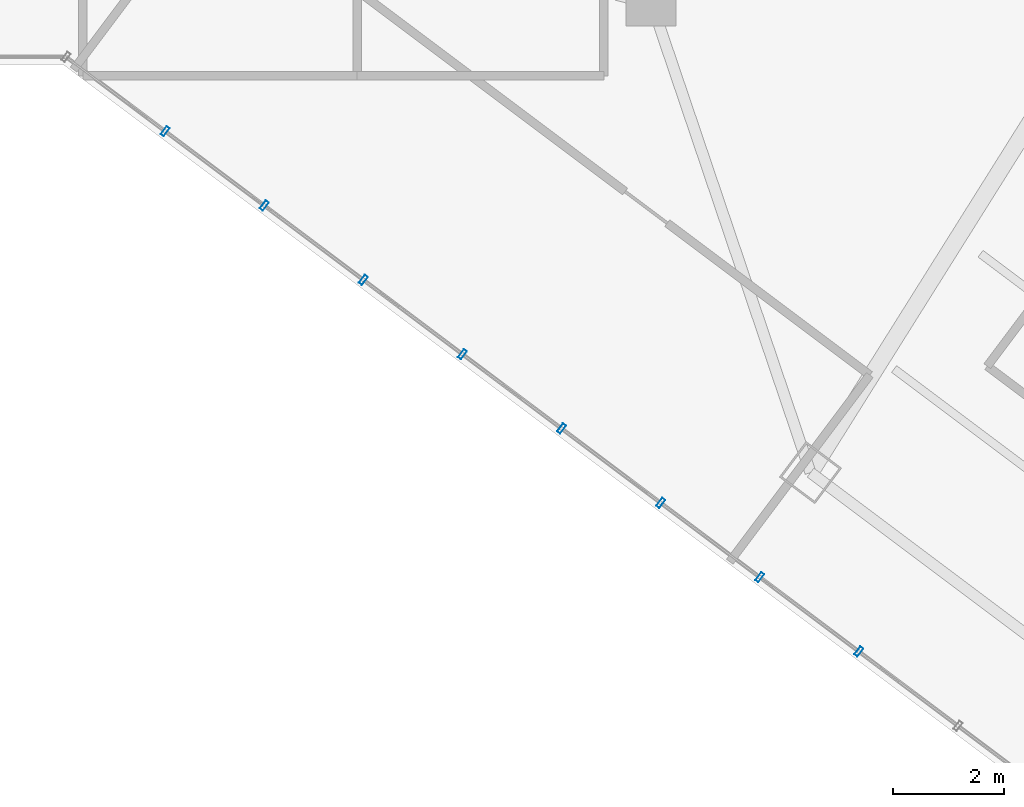
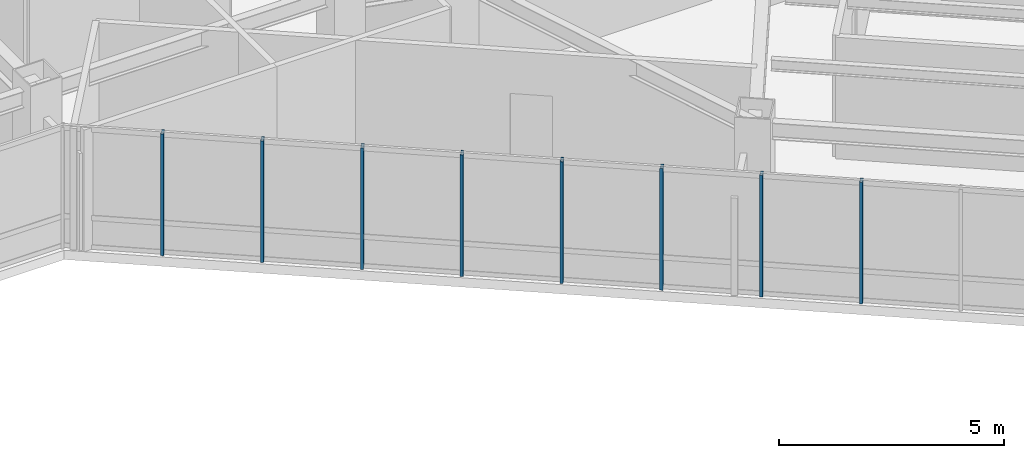
# One storey, part 5 of 29: 8 members, 1 element without a shape of its own.
"""IFC4 building model written with IfcOpenShell, lengths in metres."""

from ifc_helpers import new_model, si_unit, direction, frame, origin, origin_2d, place, context, subcontext, project, spatial, hollow_rectangle, extrude, material, layer, layer_set, material_profile, profile_set, type_object, element, aggregate, save


model = new_model("IFC4")

# Units and contexts
model_context = context("Model", 3, precision=1e-05, world=origin(), true_north=direction((0.0, 1.0)))
body_context = subcontext(model_context, "Body", "Model", "MODEL_VIEW")
ifc_project = project(units=[si_unit("LENGTHUNIT", "METRE"), si_unit("AREAUNIT", "SQUARE_METRE"), si_unit("VOLUMEUNIT", "CUBIC_METRE"), si_unit("PLANEANGLEUNIT", "RADIAN"), si_unit("MASSUNIT", "GRAM", prefix="KILO")], contexts=[model_context])

# Site, building, storey
site_placement = place(None, origin())
site = spatial("IfcSite", under=ifc_project, at=site_placement, CompositionType="ELEMENT")
building_placement = place(site_placement, origin())
building = spatial("IfcBuilding", under=site, at=building_placement, Name="Hatsunagi Terrace Concourse", CompositionType="ELEMENT")
storey_placement = place(building_placement, frame((0.0, 0.0, 178.050048828125)))
storey = spatial("IfcBuildingStorey", under=building, at=storey_placement, Name="L47", CompositionType="ELEMENT", Elevation=178.050048828125)

# Curtain wall, members
ifc_material_1 = material(Name="Anodised Aluminium Alloy 6063-T5", Category="aluminium")
ifc_layer = layer(ifc_material_1, 0.199951171875)
ifc_layer_set = layer_set([ifc_layer], Name="OfficeZone1_CW03")
curtain_wall_type = type_object("IfcCurtainWallType", Name="OfficeZone1_CW03", PredefinedType="NOTDEFINED", material=ifc_layer_set)
curtain_wall_placement = place(storey_placement, origin())
curtain_wall = element("IfcCurtainWall", 1, at=curtain_wall_placement, inside=storey, type_object=curtain_wall_type, Name="Unitised Curtain Wall CW-03 CW-L47-05", PredefinedType="NOTDEFINED")
ifc_material_2 = material(Name="Anodised Aluminium Alloy 6063-T5", Category="aluminium")
ifc_material_profile = material_profile(ifc_material_2, hollow_rectangle(XDim=0.070068359375, YDim=0.179931640625, WallThickness=0.00390625, at=origin_2d()), Name="ALU-MUL-180x70x4")
ifc_profile_set = profile_set([ifc_material_profile], Name="Anodised Aluminium Alloy 6063-T5")
member_type = type_object("IfcMemberType", Name="CurtainWallMullion_180x70", PredefinedType="MULLION", material=ifc_profile_set)
member_1_placement = place(storey_placement, frame((39.552978515625, 12.81103515625, 0.0), z_axis=(0.0, 0.0, 1.0), x_axis=(-0.800005211305, 0.599993051531, 0.0)))
member_1 = element("IfcMember", 2, at=member_1_placement, type_object=member_type, Name="Curtain Wall Mullion MUL-02", PredefinedType="MULLION", context=body_context, shape_type="SweptSolid", body=[
    extrude(hollow_rectangle(XDim=0.070068359375, YDim=0.179931640625, WallThickness=0.00390625, at=origin_2d()), origin(), (0.0, 0.0, 1.0), 3.300048828125),
])
member_2_placement = place(storey_placement, frame((37.764892578125, 14.152099609375, 0.0), z_axis=(0.0, 0.0, 1.0), x_axis=(-0.800005211305, 0.599993051531, 0.0)))
member_2 = element("IfcMember", 3, at=member_2_placement, type_object=member_type, Name="Curtain Wall Mullion MUL-02", PredefinedType="MULLION", context=body_context, shape_type="SweptSolid", body=[
    extrude(hollow_rectangle(XDim=0.070068359375, YDim=0.179931640625, WallThickness=0.00390625, at=origin_2d()), origin(), (0.0, 0.0, 1.0), 3.300048828125),
])
member_3_placement = place(storey_placement, frame((35.97705078125, 15.492919921875, 0.0), z_axis=(0.0, 0.0, 1.0), x_axis=(-0.800005211305, 0.599993051531, 0.0)))
member_3 = element("IfcMember", 4, at=member_3_placement, type_object=member_type, Name="Curtain Wall Mullion MUL-02", PredefinedType="MULLION", context=body_context, shape_type="SweptSolid", body=[
    extrude(hollow_rectangle(XDim=0.070068359375, YDim=0.179931640625, WallThickness=0.00390625, at=origin_2d()), origin(), (0.0, 0.0, 1.0), 3.300048828125),
])
member_4_placement = place(storey_placement, frame((34.18798828125, 16.833984375, 0.0), z_axis=(0.0, 0.0, 1.0), x_axis=(-0.800005211305, 0.599993051531, 0.0)))
member_4 = element("IfcMember", 5, at=member_4_placement, type_object=member_type, Name="Curtain Wall Mullion MUL-02", PredefinedType="MULLION", context=body_context, shape_type="SweptSolid", body=[
    extrude(hollow_rectangle(XDim=0.070068359375, YDim=0.179931640625, WallThickness=0.00390625, at=origin_2d()), origin(), (0.0, 0.0, 1.0), 3.300048828125),
])
member_5_placement = place(storey_placement, frame((32.39990234375, 18.175048828125, 0.0), z_axis=(0.0, 0.0, 1.0), x_axis=(-0.800005211305, 0.599993051531, 0.0)))
member_5 = element("IfcMember", 6, at=member_5_placement, type_object=member_type, Name="Curtain Wall Mullion MUL-02", PredefinedType="MULLION", context=body_context, shape_type="SweptSolid", body=[
    extrude(hollow_rectangle(XDim=0.070068359375, YDim=0.179931640625, WallThickness=0.00390625, at=origin_2d()), origin(), (0.0, 0.0, 1.0), 3.300048828125),
])
member_6_placement = place(storey_placement, frame((30.612060546875, 19.51611328125, 0.0), z_axis=(0.0, 0.0, 1.0), x_axis=(-0.800005211305, 0.599993051531, 0.0)))
member_6 = element("IfcMember", 7, at=member_6_placement, type_object=member_type, Name="Curtain Wall Mullion MUL-02", PredefinedType="MULLION", context=body_context, shape_type="SweptSolid", body=[
    extrude(hollow_rectangle(XDim=0.070068359375, YDim=0.179931640625, WallThickness=0.00390625, at=origin_2d()), origin(), (0.0, 0.0, 1.0), 3.300048828125),
])
member_7_placement = place(storey_placement, frame((28.823974609375, 20.85791015625, 0.0), z_axis=(0.0, 0.0, 1.0), x_axis=(-0.800005211305, 0.599993051531, 0.0)))
member_7 = element("IfcMember", 8, at=member_7_placement, type_object=member_type, Name="Curtain Wall Mullion MUL-02", PredefinedType="MULLION", context=body_context, shape_type="SweptSolid", body=[
    extrude(hollow_rectangle(XDim=0.070068359375, YDim=0.179931640625, WallThickness=0.00390625, at=origin_2d()), origin(), (0.0, 0.0, 1.0), 3.300048828125),
])
member_8_placement = place(storey_placement, frame((27.034912109375, 22.198974609375, 0.0), z_axis=(0.0, 0.0, 1.0), x_axis=(-0.800005211305, 0.599993051531, 0.0)))
member_8 = element("IfcMember", 9, at=member_8_placement, type_object=member_type, Name="Curtain Wall Mullion MUL-02", PredefinedType="MULLION", context=body_context, shape_type="SweptSolid", body=[
    extrude(hollow_rectangle(XDim=0.070068359375, YDim=0.179931640625, WallThickness=0.00390625, at=origin_2d()), origin(), (0.0, 0.0, 1.0), 3.300048828125),
])
aggregate(curtain_wall, [member_1, member_2, member_3, member_4, member_5, member_6, member_7, member_8])

save(model, "model.ifc")
